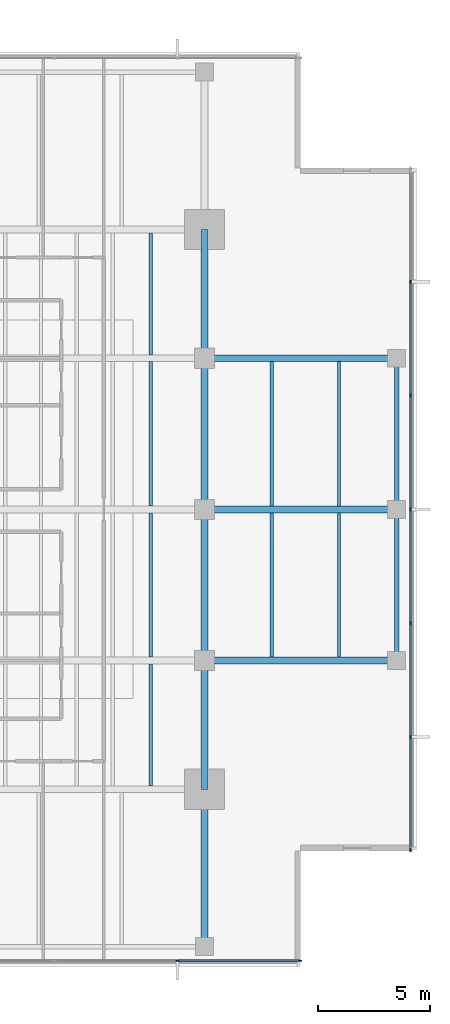
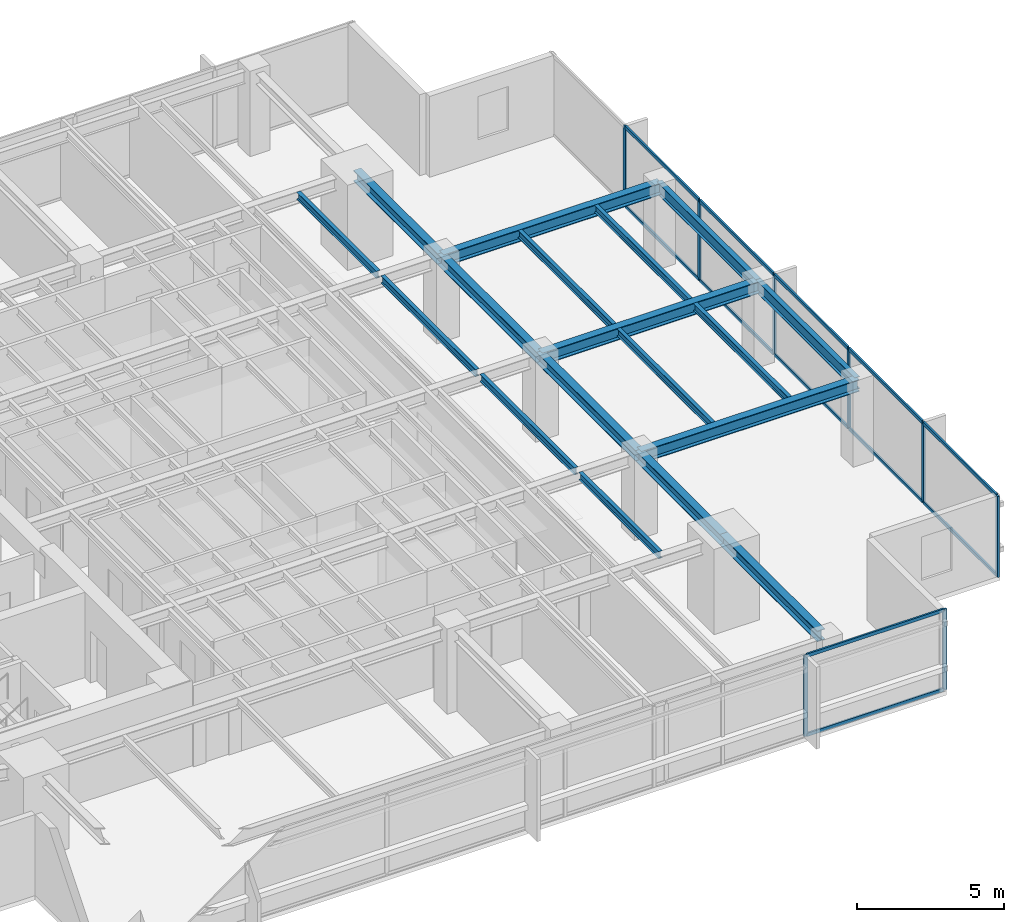
# One storey, part 4 of 14: 20 members, 18 beams, 2 elements without a shape of their own.
"""IFC4 building model written with IfcOpenShell, lengths in metres."""

from ifc_helpers import new_model, si_unit, direction, frame, origin, origin_2d, place, context, subcontext, project, spatial, rectangle, i_section, extrude, material, layer, layer_set, material_profile, profile_set, type_object, element, aggregate, save


model = new_model("IFC4")

# Units and contexts
model_context = context("Model", 3, precision=1e-05, world=origin(), true_north=direction((0.0, 1.0)))
body_context = subcontext(model_context, "Body", "Model", "MODEL_VIEW")
ifc_project = project(units=[si_unit("LENGTHUNIT", "METRE"), si_unit("AREAUNIT", "SQUARE_METRE"), si_unit("VOLUMEUNIT", "CUBIC_METRE"), si_unit("PLANEANGLEUNIT", "RADIAN"), si_unit("MASSUNIT", "GRAM", prefix="KILO")], contexts=[model_context])

# Site, building, storey
site_placement = place(None, origin())
site = spatial("IfcSite", under=ifc_project, at=site_placement, CompositionType="ELEMENT")
building_placement = place(site_placement, origin())
building = spatial("IfcBuilding", under=site, at=building_placement, Name="Kinhvarn Gate Tower", CompositionType="ELEMENT")
storey_placement = place(building_placement, frame((0.0, 0.0, 216.449951171875)))
storey = spatial("IfcBuildingStorey", under=building, at=storey_placement, Name="L57", CompositionType="ELEMENT", Elevation=216.449951171875)

# Curtain wall, members
ifc_material_1 = material(Name="Anodised aluminium AW-6063", Category="aluminium")
ifc_layer = layer(ifc_material_1, 0.179931640625)
ifc_layer_set = layer_set([ifc_layer], Name="Anodised aluminium AW-6063")
curtain_wall_type = type_object("IfcCurtainWallType", Name="CW-SYS-3", PredefinedType="NOTDEFINED", material=ifc_layer_set)
curtain_wall_1_placement = place(storey_placement, origin())
curtain_wall_1 = element("IfcCurtainWall", 1, at=curtain_wall_1_placement, inside=storey, type_object=curtain_wall_type, Name="Curtain Wall CW3 (L57)", PredefinedType="NOTDEFINED")
ifc_material_profile_1 = material_profile(ifc_material_1, rectangle(XDim=0.06494140625, YDim=0.159912109375, at=origin_2d()), Name="ALU 65x160")
ifc_profile_set_1 = profile_set([ifc_material_profile_1], Name="Anodised aluminium AW-6063")
member_type_1 = type_object("IfcMemberType", Name="CW-MUL-160", PredefinedType="MULLION", material=ifc_profile_set_1)
member_1_placement = place(storey_placement, frame((37.0, 5.090087890625, 0.0), z_axis=(0.0, 0.0, 1.0), x_axis=(0.0, 1.0, 0.0)))
member_1 = element("IfcMember", 2, at=member_1_placement, type_object=member_type_1, Name="CW3 mullion 6", PredefinedType="MULLION", context=body_context, shape_type="SweptSolid", body=[
    extrude(rectangle(XDim=0.06494140625, YDim=0.159912109375, at=origin_2d()), origin(), (0.0, 0.0, 1.0), 3.3701171875),
])
member_2_placement = place(storey_placement, frame((42.467529296875, 5.090087890625, 0.0), z_axis=(0.0, 0.0, 1.0), x_axis=(0.0, 1.0, 0.0)))
member_2 = element("IfcMember", 3, at=member_2_placement, type_object=member_type_1, Name="CW3 mullion 7", PredefinedType="MULLION", context=body_context, shape_type="SweptSolid", body=[
    extrude(rectangle(XDim=0.06494140625, YDim=0.159912109375, at=origin_2d()), origin(), (0.0, 0.0, 1.0), 3.3701171875),
])

curtain_wall_2_placement = place(storey_placement, origin())
curtain_wall_2 = element("IfcCurtainWall", 4, at=curtain_wall_2_placement, inside=storey, type_object=curtain_wall_type, Name="Curtain Wall CW3 (L57)", PredefinedType="NOTDEFINED")
member_3_placement = place(storey_placement, frame((47.409912109375, 10.032470703125, 0.0), z_axis=(0.0, 0.0, 1.0), x_axis=(-1.0, 0.0, 0.0)))
member_3 = element("IfcMember", 5, at=member_3_placement, type_object=member_type_1, Name="CW3 mullion 1", PredefinedType="MULLION", context=body_context, shape_type="SweptSolid", body=[
    extrude(rectangle(XDim=0.06494140625, YDim=0.159912109375, at=origin_2d()), origin(), (0.0, 0.0, 1.0), 3.3701171875),
])
member_4_placement = place(storey_placement, frame((47.409912109375, 15.083251953125, 0.0), z_axis=(0.0, 0.0, 1.0), x_axis=(-1.0, 0.0, 0.0)))
member_4 = element("IfcMember", 6, at=member_4_placement, type_object=member_type_1, Name="CW3 mullion 2", PredefinedType="MULLION", context=body_context, shape_type="SweptSolid", body=[
    extrude(rectangle(XDim=0.06494140625, YDim=0.159912109375, at=origin_2d()), origin(), (0.0, 0.0, 1.0), 3.3701171875),
])
member_5_placement = place(storey_placement, frame((47.409912109375, 20.166748046875, 0.0), z_axis=(0.0, 0.0, 1.0), x_axis=(-1.0, 0.0, 0.0)))
member_5 = element("IfcMember", 7, at=member_5_placement, type_object=member_type_1, Name="CW3 mullion 3", PredefinedType="MULLION", context=body_context, shape_type="SweptSolid", body=[
    extrude(rectangle(XDim=0.06494140625, YDim=0.159912109375, at=origin_2d()), origin(), (0.0, 0.0, 1.0), 3.3701171875),
])
member_6_placement = place(storey_placement, frame((47.409912109375, 25.25, 0.0), z_axis=(0.0, 0.0, 1.0), x_axis=(-1.0, 0.0, 0.0)))
member_6 = element("IfcMember", 8, at=member_6_placement, type_object=member_type_1, Name="CW3 mullion 4", PredefinedType="MULLION", context=body_context, shape_type="SweptSolid", body=[
    extrude(rectangle(XDim=0.06494140625, YDim=0.159912109375, at=origin_2d()), origin(), (0.0, 0.0, 1.0), 3.3701171875),
])
member_7_placement = place(storey_placement, frame((47.409912109375, 30.333251953125, 0.0), z_axis=(0.0, 0.0, 1.0), x_axis=(-1.0, 0.0, 0.0)))
member_7 = element("IfcMember", 9, at=member_7_placement, type_object=member_type_1, Name="CW3 mullion 5", PredefinedType="MULLION", context=body_context, shape_type="SweptSolid", body=[
    extrude(rectangle(XDim=0.06494140625, YDim=0.159912109375, at=origin_2d()), origin(), (0.0, 0.0, 1.0), 3.3701171875),
])
member_8_placement = place(storey_placement, frame((47.409912109375, 35.416748046875, 0.0), z_axis=(0.0, 0.0, 1.0), x_axis=(-1.0, 0.0, 0.0)))
member_8 = element("IfcMember", 10, at=member_8_placement, type_object=member_type_1, Name="CW3 mullion 6", PredefinedType="MULLION", context=body_context, shape_type="SweptSolid", body=[
    extrude(rectangle(XDim=0.06494140625, YDim=0.159912109375, at=origin_2d()), origin(), (0.0, 0.0, 1.0), 3.3701171875),
])

# Member
ifc_material_profile_2 = material_profile(ifc_material_1, rectangle(XDim=0.070068359375, YDim=0.139892578125, at=origin_2d()), Name="ALU 70x140")
ifc_profile_set_2 = profile_set([ifc_material_profile_2], Name="Anodised aluminium AW-6063")
member_type_2 = type_object("IfcMemberType", Name="CW-TRN-140", PredefinedType="USERDEFINED", material=ifc_profile_set_2)
member_9_placement = place(storey_placement, frame((37.032470703125, 5.090087890625, 0.03515625), z_axis=(1.0, 0.0, 0.0), x_axis=(0.0, 1.0, 0.0)))
member_9 = element("IfcMember", 11, at=member_9_placement, type_object=member_type_2, Name="CW3 transom 6.1", ObjectType="TRANSOM", PredefinedType="USERDEFINED", context=body_context, shape_type="SweptSolid", body=[
    extrude(rectangle(XDim=0.070068359375, YDim=0.139892578125, at=origin_2d()), origin(), (0.0, 0.0, 1.0), 5.402587890625),
])

member_10_placement = place(storey_placement, frame((37.032470703125, 5.090087890625, 3.3349609375), z_axis=(1.0, 0.0, 0.0), x_axis=(0.0, 1.0, 0.0)))
member_10 = element("IfcMember", 12, at=member_10_placement, type_object=member_type_2, Name="CW3 transom 6.2", ObjectType="TRANSOM", PredefinedType="USERDEFINED", context=body_context, shape_type="SweptSolid", body=[
    extrude(rectangle(XDim=0.070068359375, YDim=0.139892578125, at=origin_2d()), origin(), (0.0, 0.0, 1.0), 5.402587890625),
])

aggregate(curtain_wall_1, [member_1, member_2, member_9, member_10])

member_11_placement = place(storey_placement, frame((47.409912109375, 10.06494140625, 0.03515625), z_axis=(0.0, 1.0, 0.0), x_axis=(-1.0, 0.0, 0.0)))
member_11 = element("IfcMember", 13, at=member_11_placement, type_object=member_type_2, Name="CW3 transom 1.1", ObjectType="TRANSOM", PredefinedType="USERDEFINED", context=body_context, shape_type="SweptSolid", body=[
    extrude(rectangle(XDim=0.070068359375, YDim=0.139892578125, at=origin_2d()), origin(), (0.0, 0.0, 1.0), 4.98583984375),
])

member_12_placement = place(storey_placement, frame((47.409912109375, 10.06494140625, 3.3349609375), z_axis=(0.0, 1.0, 0.0), x_axis=(-1.0, 0.0, 0.0)))
member_12 = element("IfcMember", 14, at=member_12_placement, type_object=member_type_2, Name="CW3 transom 1.2", ObjectType="TRANSOM", PredefinedType="USERDEFINED", context=body_context, shape_type="SweptSolid", body=[
    extrude(rectangle(XDim=0.070068359375, YDim=0.139892578125, at=origin_2d()), origin(), (0.0, 0.0, 1.0), 4.98583984375),
])

member_13_placement = place(storey_placement, frame((47.409912109375, 15.11572265625, 0.03515625), z_axis=(0.0, 1.0, 0.0), x_axis=(-1.0, 0.0, 0.0)))
member_13 = element("IfcMember", 15, at=member_13_placement, type_object=member_type_2, Name="CW3 transom 2.1", ObjectType="TRANSOM", PredefinedType="USERDEFINED", context=body_context, shape_type="SweptSolid", body=[
    extrude(rectangle(XDim=0.070068359375, YDim=0.139892578125, at=origin_2d()), origin(), (0.0, 0.0, 1.0), 5.0185546875),
])

member_14_placement = place(storey_placement, frame((47.409912109375, 15.11572265625, 3.3349609375), z_axis=(0.0, 1.0, 0.0), x_axis=(-1.0, 0.0, 0.0)))
member_14 = element("IfcMember", 16, at=member_14_placement, type_object=member_type_2, Name="CW3 transom 2.2", ObjectType="TRANSOM", PredefinedType="USERDEFINED", context=body_context, shape_type="SweptSolid", body=[
    extrude(rectangle(XDim=0.070068359375, YDim=0.139892578125, at=origin_2d()), origin(), (0.0, 0.0, 1.0), 5.0185546875),
])

member_15_placement = place(storey_placement, frame((47.409912109375, 20.19921875, 0.03515625), z_axis=(0.0, 1.0, 0.0), x_axis=(-1.0, 0.0, 0.0)))
member_15 = element("IfcMember", 17, at=member_15_placement, type_object=member_type_2, Name="CW3 transom 3.1", ObjectType="TRANSOM", PredefinedType="USERDEFINED", context=body_context, shape_type="SweptSolid", body=[
    extrude(rectangle(XDim=0.070068359375, YDim=0.139892578125, at=origin_2d()), origin(), (0.0, 0.0, 1.0), 5.018310546875),
])

member_16_placement = place(storey_placement, frame((47.409912109375, 20.19921875, 3.3349609375), z_axis=(0.0, 1.0, 0.0), x_axis=(-1.0, 0.0, 0.0)))
member_16 = element("IfcMember", 18, at=member_16_placement, type_object=member_type_2, Name="CW3 transom 3.2", ObjectType="TRANSOM", PredefinedType="USERDEFINED", context=body_context, shape_type="SweptSolid", body=[
    extrude(rectangle(XDim=0.070068359375, YDim=0.139892578125, at=origin_2d()), origin(), (0.0, 0.0, 1.0), 5.018310546875),
])

member_17_placement = place(storey_placement, frame((47.409912109375, 25.282470703125, 0.03515625), z_axis=(0.0, 1.0, 0.0), x_axis=(-1.0, 0.0, 0.0)))
member_17 = element("IfcMember", 19, at=member_17_placement, type_object=member_type_2, Name="CW3 transom 4.1", ObjectType="TRANSOM", PredefinedType="USERDEFINED", context=body_context, shape_type="SweptSolid", body=[
    extrude(rectangle(XDim=0.070068359375, YDim=0.139892578125, at=origin_2d()), origin(), (0.0, 0.0, 1.0), 5.018310546875),
])

member_18_placement = place(storey_placement, frame((47.409912109375, 25.282470703125, 3.3349609375), z_axis=(0.0, 1.0, 0.0), x_axis=(-1.0, 0.0, 0.0)))
member_18 = element("IfcMember", 20, at=member_18_placement, type_object=member_type_2, Name="CW3 transom 4.2", ObjectType="TRANSOM", PredefinedType="USERDEFINED", context=body_context, shape_type="SweptSolid", body=[
    extrude(rectangle(XDim=0.070068359375, YDim=0.139892578125, at=origin_2d()), origin(), (0.0, 0.0, 1.0), 5.018310546875),
])

member_19_placement = place(storey_placement, frame((47.409912109375, 30.36572265625, 0.03515625), z_axis=(0.0, 1.0, 0.0), x_axis=(-1.0, 0.0, 0.0)))
member_19 = element("IfcMember", 21, at=member_19_placement, type_object=member_type_2, Name="CW3 transom 5.1", ObjectType="TRANSOM", PredefinedType="USERDEFINED", context=body_context, shape_type="SweptSolid", body=[
    extrude(rectangle(XDim=0.070068359375, YDim=0.139892578125, at=origin_2d()), origin(), (0.0, 0.0, 1.0), 5.0185546875),
])

member_20_placement = place(storey_placement, frame((47.409912109375, 30.36572265625, 3.3349609375), z_axis=(0.0, 1.0, 0.0), x_axis=(-1.0, 0.0, 0.0)))
member_20 = element("IfcMember", 22, at=member_20_placement, type_object=member_type_2, Name="CW3 transom 5.2", ObjectType="TRANSOM", PredefinedType="USERDEFINED", context=body_context, shape_type="SweptSolid", body=[
    extrude(rectangle(XDim=0.070068359375, YDim=0.139892578125, at=origin_2d()), origin(), (0.0, 0.0, 1.0), 5.0185546875),
])

aggregate(curtain_wall_2, [member_3, member_4, member_5, member_6, member_7, member_8, member_11, member_12, member_13, member_14, member_15, member_16, member_17, member_18, member_19, member_20])

# Beams
ifc_material_2 = material(Name="Steel S355", Category="steel")
ifc_material_profile_3 = material_profile(ifc_material_2, i_section(OverallWidth=0.300048828125, OverallDepth=0.449951171875, WebThickness=0.013916015625, FlangeThickness=0.02587890625, at=origin_2d()), Name="HEB 450")
ifc_profile_set_3 = profile_set([ifc_material_profile_3], Name="Steel S355")
beam_type_1 = type_object("IfcBeamType", Name="STL-HEB450", PredefinedType="BEAM", material=ifc_profile_set_3)
beam_1_placement = place(storey_placement, frame((38.199951171875, 6.10498046875, 3.14501953125), z_axis=(0.0, 1.0, 0.0), x_axis=(-1.0, 0.0, 0.0)))
element("IfcBeam", 23, at=beam_1_placement, inside=storey, type_object=beam_type_1, Name="Floor Beam PG-13 (L57 MCE-S)", PredefinedType="BEAM", context=body_context, shape_type="SweptSolid", body=[
    extrude(i_section(OverallWidth=0.300048828125, OverallDepth=0.449951171875, WebThickness=0.013916015625, FlangeThickness=0.02587890625, at=origin_2d()), origin(), (0.0, 0.0, 1.0), 6.64501953125),
])
beam_2_placement = place(storey_placement, frame((38.199951171875, 12.75, 3.14501953125), z_axis=(0.0, 1.0, 0.0), x_axis=(-1.0, 0.0, 0.0)))
element("IfcBeam", 24, at=beam_2_placement, inside=storey, type_object=beam_type_1, Name="Floor Beam PG-13 (L57 MG-E-12)", PredefinedType="BEAM", context=body_context, shape_type="SweptSolid", body=[
    extrude(i_section(OverallWidth=0.300048828125, OverallDepth=0.449951171875, WebThickness=0.013916015625, FlangeThickness=0.02587890625, at=origin_2d()), origin(), (0.0, 0.0, 1.0), 5.75),
])
for number, where, z_axis, x_axis, name in (
    (25, (38.199951171875, 18.5, 3.14501953125), (0.0, 1.0, 0.0), (-1.0, 0.0, 0.0), "Floor Beam PG-13 (L57 MG-E-18)"),
    (26, (38.199951171875, 25.25, 3.14501953125), (0.0, 1.0, 0.0), (-1.0, 0.0, 0.0), "Floor Beam PG-13 (L57 MG-E-25)"),
):
    element("IfcBeam", number, at=place(storey_placement, frame(where, z_axis=z_axis, x_axis=x_axis)), inside=storey, type_object=beam_type_1, Name=name, PredefinedType="BEAM", context=body_context, shape_type="SweptSolid", body=[
        extrude(i_section(OverallWidth=0.300048828125, OverallDepth=0.449951171875, WebThickness=0.013916015625, FlangeThickness=0.02587890625, at=origin_2d()), origin(), (0.0, 0.0, 1.0), 6.75),
    ])
beam_3_placement = place(storey_placement, frame((38.199951171875, 32.0, 3.14501953125), z_axis=(0.0, 1.0, 0.0), x_axis=(-1.0, 0.0, 0.0)))
element("IfcBeam", 27, at=beam_3_placement, inside=storey, type_object=beam_type_1, Name="Floor Beam PG-13 (L57 MG-E-32)", PredefinedType="BEAM", context=body_context, shape_type="SweptSolid", body=[
    extrude(i_section(OverallWidth=0.300048828125, OverallDepth=0.449951171875, WebThickness=0.013916015625, FlangeThickness=0.02587890625, at=origin_2d()), origin(), (0.0, 0.0, 1.0), 5.75),
])
ifc_material_profile_4 = material_profile(ifc_material_2, i_section(OverallWidth=0.300048828125, OverallDepth=0.5, WebThickness=0.014404296875, FlangeThickness=0.028076171875, at=origin_2d()), Name="HEB 500")
ifc_profile_set_4 = profile_set([ifc_material_profile_4], Name="Steel S355")
beam_type_2 = type_object("IfcBeamType", Name="STL-HEB500", PredefinedType="BEAM", material=ifc_profile_set_4)
for number, where, z_axis, x_axis, name in (
    (28, (38.199951171875, 18.5, 3.1201171875), (1.0, 0.0, 0.0), (0.0, 1.0, 0.0), "Floor Beam PG-14 (L57 EW2-Y18)"),
    (29, (38.199951171875, 25.25, 3.1201171875), (1.0, 0.0, 0.0), (0.0, 1.0, 0.0), "Floor Beam PG-14 (L57 EW2-Y25)"),
    (30, (38.199951171875, 32.0, 3.1201171875), (1.0, 0.0, 0.0), (0.0, 1.0, 0.0), "Floor Beam PG-14 (L57 EW2-Y32)"),
):
    element("IfcBeam", number, at=place(storey_placement, frame(where, z_axis=z_axis, x_axis=x_axis)), inside=storey, type_object=beam_type_2, Name=name, PredefinedType="BEAM", context=body_context, shape_type="SweptSolid", body=[
        extrude(i_section(OverallWidth=0.300048828125, OverallDepth=0.5, WebThickness=0.014404296875, FlangeThickness=0.028076171875, at=origin_2d()), origin(), (0.0, 0.0, 1.0), 8.580078125),
    ])
ifc_material_profile_5 = material_profile(ifc_material_2, i_section(OverallWidth=0.14990234375, OverallDepth=0.300048828125, WebThickness=0.007080078125, FlangeThickness=0.0107421875, at=origin_2d()), Name="IPE 300")
ifc_profile_set_5 = profile_set([ifc_material_profile_5], Name="Steel S355")
beam_type_3 = type_object("IfcBeamType", Name="STL-IPE300", PredefinedType="JOIST", material=ifc_profile_set_5)
beam_4_placement = place(storey_placement, frame((35.800048828125, 12.89990234375, 3.219970703125), z_axis=(0.0, 1.0, 0.0), x_axis=(-1.0, 0.0, 0.0)))
element("IfcBeam", 31, at=beam_4_placement, inside=storey, type_object=beam_type_3, Name="Floor Joist SB-02 (L57 JC-X358-0)", PredefinedType="JOIST", context=body_context, shape_type="SweptSolid", body=[
    extrude(i_section(OverallWidth=0.14990234375, OverallDepth=0.300048828125, WebThickness=0.007080078125, FlangeThickness=0.0107421875, at=origin_2d()), origin(), (0.0, 0.0, 1.0), 5.4501953125),
])
for number, where, z_axis, x_axis, name in (
    (32, (35.800048828125, 18.64990234375, 3.219970703125), (0.0, 1.0, 0.0), (-1.0, 0.0, 0.0), "Floor Joist SB-02 (L57 JC-X358-1)"),
    (33, (35.800048828125, 25.39990234375, 3.219970703125), (0.0, 1.0, 0.0), (-1.0, 0.0, 0.0), "Floor Joist SB-02 (L57 JC-X358-2)"),
):
    element("IfcBeam", number, at=place(storey_placement, frame(where, z_axis=z_axis, x_axis=x_axis)), inside=storey, type_object=beam_type_3, Name=name, PredefinedType="JOIST", context=body_context, shape_type="SweptSolid", body=[
        extrude(i_section(OverallWidth=0.14990234375, OverallDepth=0.300048828125, WebThickness=0.007080078125, FlangeThickness=0.0107421875, at=origin_2d()), origin(), (0.0, 0.0, 1.0), 6.4501953125),
    ])
beam_5_placement = place(storey_placement, frame((35.800048828125, 32.14990234375, 3.219970703125), z_axis=(0.0, 1.0, 0.0), x_axis=(-1.0, 0.0, 0.0)))
element("IfcBeam", 34, at=beam_5_placement, inside=storey, type_object=beam_type_3, Name="Floor Joist SB-02 (L57 JC-X358-3)", PredefinedType="JOIST", context=body_context, shape_type="SweptSolid", body=[
    extrude(i_section(OverallWidth=0.14990234375, OverallDepth=0.300048828125, WebThickness=0.007080078125, FlangeThickness=0.0107421875, at=origin_2d()), origin(), (0.0, 0.0, 1.0), 5.4501953125),
])
for number, where, z_axis, x_axis, name in (
    (35, (41.199951171875, 18.64990234375, 3.219970703125), (0.0, 1.0, 0.0), (-1.0, 0.0, 0.0), "Floor Joist SB-02 (L57 JC-X412-1)"),
    (36, (41.199951171875, 25.39990234375, 3.219970703125), (0.0, 1.0, 0.0), (-1.0, 0.0, 0.0), "Floor Joist SB-02 (L57 JC-X412-2)"),
    (37, (44.2099609375, 18.64990234375, 3.219970703125), (0.0, 1.0, 0.0), (-1.0, 0.0, 0.0), "Floor Joist SB-02 (L57 JC-X442-1)"),
    (38, (44.2099609375, 25.39990234375, 3.219970703125), (0.0, 1.0, 0.0), (-1.0, 0.0, 0.0), "Floor Joist SB-02 (L57 JC-X442-2)"),
):
    element("IfcBeam", number, at=place(storey_placement, frame(where, z_axis=z_axis, x_axis=x_axis)), inside=storey, type_object=beam_type_3, Name=name, PredefinedType="JOIST", context=body_context, shape_type="SweptSolid", body=[
        extrude(i_section(OverallWidth=0.14990234375, OverallDepth=0.300048828125, WebThickness=0.007080078125, FlangeThickness=0.0107421875, at=origin_2d()), origin(), (0.0, 0.0, 1.0), 6.4501953125),
    ])
ifc_material_profile_6 = material_profile(ifc_material_2, i_section(OverallWidth=0.199951171875, OverallDepth=0.5, WebThickness=0.01025390625, FlangeThickness=0.01611328125, at=origin_2d()), Name="IPE 500")
ifc_profile_set_6 = profile_set([ifc_material_profile_6], Name="Steel S355")
beam_type_4 = type_object("IfcBeamType", Name="STL-IPE500", PredefinedType="SPANDREL", material=ifc_profile_set_6)
for number, where, z_axis, x_axis, name in (
    (39, (46.780029296875, 18.5, 3.1201171875), (0.0, 1.0, 0.0), (-1.0, 0.0, 0.0), "Floor Spandrel SB-07 (L57 SP-E2)"),
    (40, (46.780029296875, 25.25, 3.1201171875), (0.0, 1.0, 0.0), (-1.0, 0.0, 0.0), "Floor Spandrel SB-07 (L57 SP-E3)"),
):
    element("IfcBeam", number, at=place(storey_placement, frame(where, z_axis=z_axis, x_axis=x_axis)), inside=storey, type_object=beam_type_4, Name=name, PredefinedType="SPANDREL", context=body_context, shape_type="SweptSolid", body=[
        extrude(i_section(OverallWidth=0.199951171875, OverallDepth=0.5, WebThickness=0.01025390625, FlangeThickness=0.01611328125, at=origin_2d()), origin(), (0.0, 0.0, 1.0), 6.75),
    ])

save(model, "model.ifc")
